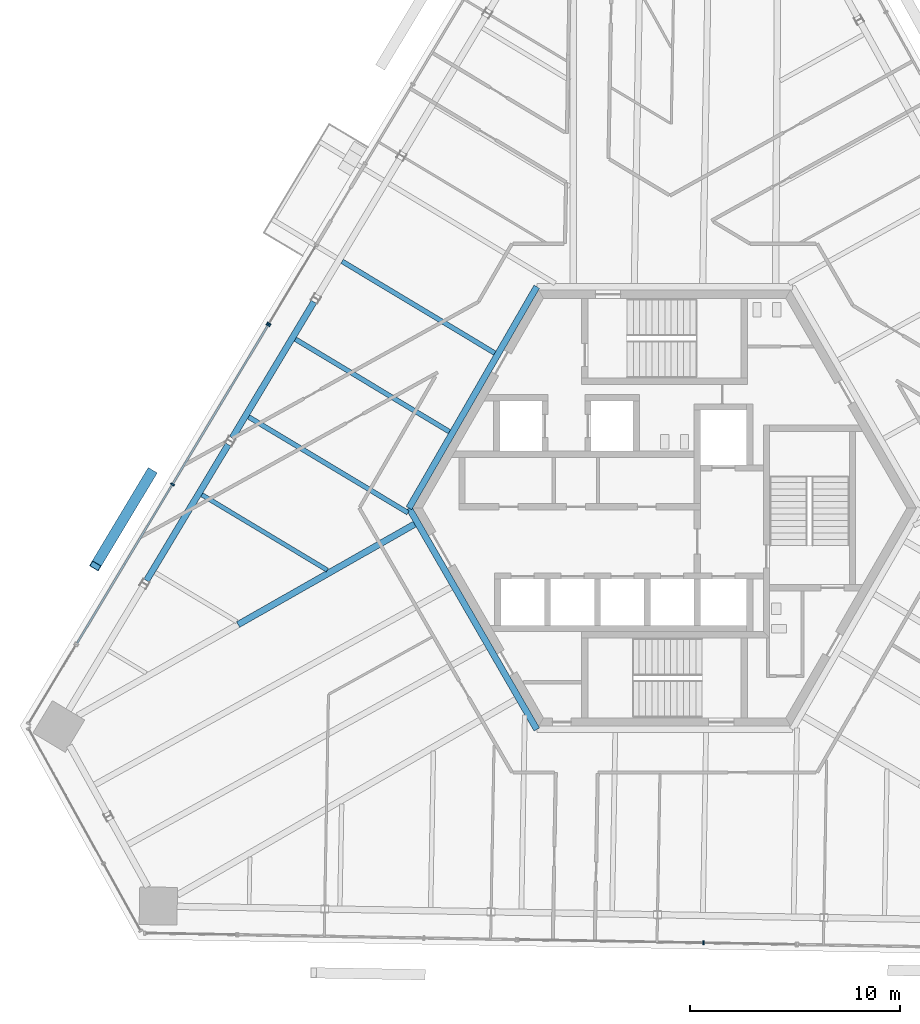
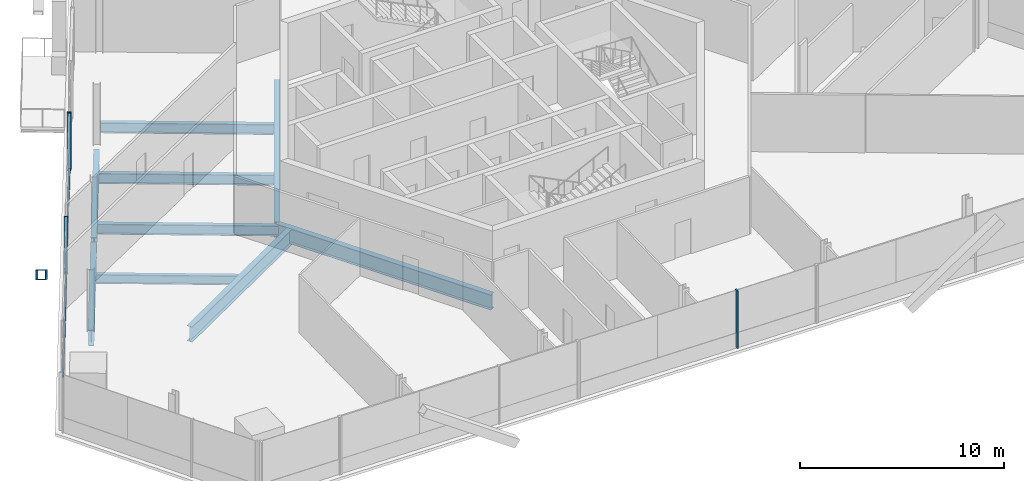
# One storey, part 5 of 19: 9 beams, 7 members, 3 elements without a shape of their own.
"""IFC4 building model written with IfcOpenShell, lengths in metres."""

from ifc_helpers import new_model, si_unit, direction, frame, origin, origin_2d, place, context, subcontext, project, spatial, rectangle, hollow_rectangle, i_section, extrude, source, transform, mapped, material, material_profile, profile_set, type_object, element, aggregate, save


model = new_model("IFC4")

# Units and contexts
model_context = context("Model", 3, precision=1e-05, world=origin(), true_north=direction((0.0, 1.0)))
body_context = subcontext(model_context, "Body", "Model", "MODEL_VIEW")
ifc_project = project(units=[si_unit("LENGTHUNIT", "METRE"), si_unit("AREAUNIT", "SQUARE_METRE"), si_unit("VOLUMEUNIT", "CUBIC_METRE"), si_unit("PLANEANGLEUNIT", "RADIAN"), si_unit("MASSUNIT", "GRAM", prefix="KILO")], contexts=[model_context])

# Site, building, storey
site_placement = place(None, origin())
site = spatial("IfcSite", under=ifc_project, at=site_placement, CompositionType="ELEMENT")
building_placement = place(site_placement, origin())
building = spatial("IfcBuilding", under=site, at=building_placement, Name="Triune Harvest Tower", CompositionType="ELEMENT")
storey_placement = place(building_placement, frame((0.0, 0.0, 205.10009765625)))
storey = spatial("IfcBuildingStorey", under=building, at=storey_placement, Name="L53", CompositionType="ELEMENT", Elevation=205.10009765625)

# Beams
ifc_material_1 = material(Name="Steel ASTM A992 Gr 50", Category="steel")
ifc_material_profile_1 = material_profile(ifc_material_1, i_section(OverallWidth=0.3046875, OverallDepth=0.914306640625, WebThickness=0.0166015625, FlangeThickness=0.02587890625, at=origin_2d()), Name="W36x160")
ifc_profile_set_1 = profile_set([ifc_material_profile_1], Name="Steel ASTM A992 Gr 50")
beam_type_1 = type_object("IfcBeamType", Name="CG-1 Core ring girder W36x160", PredefinedType="BEAM", material=ifc_profile_set_1)
shared_shape_1 = source(origin(), body_context, "Body", "SweptSolid", [
    extrude(i_section(OverallWidth=0.3046875, OverallDepth=0.914306640625, WebThickness=0.0166015625, FlangeThickness=0.02587890625, at=origin_2d()), origin(), (0.0, 0.0, 1.0), 12.176025390625),
])
for number, where, z_axis, x_axis, name in (
    (1, (-6.087890625, 10.544677734375, -0.6171875), (-0.5000099932, -0.866019634131, 0.0), (0.866019634131, -0.5000099932, 0.0), "beam/L53/CG3"),
    (2, (-12.176025390625, 0.0, -0.6171875), (0.5000099932, -0.866019634131, 0.0), (0.866019634131, 0.5000099932, 0.0), "beam/L53/CG4"),
):
    element("IfcBeam", number, at=place(storey_placement, frame(where, z_axis=z_axis, x_axis=x_axis)), inside=storey, type_object=beam_type_1, Name=name, PredefinedType="BEAM", context=body_context, shape_type="MappedRepresentation", body=[
        mapped(shared_shape_1, transform((0.0, 0.0, 0.0), scale=1.0)),
    ])
ifc_material_2 = material(Name="Steel ASTM A992 Gr 50", Category="steel")
ifc_material_profile_2 = material_profile(ifc_material_2, i_section(OverallWidth=0.307373046875, OverallDepth=0.922119140625, WebThickness=0.018310546875, FlangeThickness=0.030029296875, at=origin_2d()), Name="W36x182")
ifc_profile_set_2 = profile_set([ifc_material_profile_2], Name="Steel ASTM A992 Gr 50")
beam_type_2 = type_object("IfcBeamType", Name="HG-2 Hip girder W36x182", PredefinedType="BEAM", material=ifc_profile_set_2)
shared_shape_2 = source(origin(), body_context, "Body", "SweptSolid", [
    extrude(i_section(OverallWidth=0.307373046875, OverallDepth=0.922119140625, WebThickness=0.018310546875, FlangeThickness=0.030029296875, at=origin_2d()), origin(), (0.0, 0.0, 1.0), 9.672119140625),
])
beam_1_placement = place(storey_placement, frame((-20.31591796875, -5.549560546875, -0.62109375), z_axis=(0.869255664029, 0.494362812673, 0.0), x_axis=(-0.494362812673, 0.869255664029, 0.0)))
element("IfcBeam", 3, at=beam_1_placement, inside=storey, type_object=beam_type_2, Name="beam/L53/HG6", PredefinedType="BEAM", context=body_context, shape_type="MappedRepresentation", body=[
    mapped(shared_shape_2, transform((0.0, 0.0, 0.0), scale=1.0)),
])
ifc_material_3 = material(Name="Steel ASTM A992 Gr 50", Category="steel")
ifc_material_profile_3 = material_profile(ifc_material_3, i_section(OverallWidth=0.3046875, OverallDepth=0.914306640625, WebThickness=0.0166015625, FlangeThickness=0.02587890625, at=origin_2d()), Name="W36x160")
ifc_profile_set_3 = profile_set([ifc_material_profile_3], Name="Steel ASTM A992 Gr 50")
beam_type_3 = type_object("IfcBeamType", Name="SB-1 Spandrel beam W36x160", PredefinedType="SPANDREL", material=ifc_profile_set_3)
shared_shape_3 = source(origin(), body_context, "Body", "SweptSolid", [
    extrude(i_section(OverallWidth=0.3046875, OverallDepth=0.914306640625, WebThickness=0.0166015625, FlangeThickness=0.02587890625, at=origin_2d()), origin(), (0.0, 0.0, 1.0), 7.556396484375),
])
for number, where, z_axis, x_axis, name in (
    (4, (-16.702880859375, 9.81982421875, -0.6171875), (-0.515065795781, -0.857150643712, 0.0), (0.857150643712, -0.515065795781, 0.0), "beam/L53/SB12"),
    (5, (-20.785888671875, 3.02490234375, -0.6171875), (-0.51504205773, -0.85716490757, 0.0), (0.85716490757, -0.51504205773, 0.0), "beam/L53/SB13"),
):
    element("IfcBeam", number, at=place(storey_placement, frame(where, z_axis=z_axis, x_axis=x_axis)), inside=storey, type_object=beam_type_3, Name=name, PredefinedType="SPANDREL", context=body_context, shape_type="MappedRepresentation", body=[
        mapped(shared_shape_3, transform((0.0, 0.0, 0.0), scale=1.0)),
    ])
ifc_material_4 = material(Name="Steel ASTM A992 Gr 50", Category="steel")
ifc_material_profile_4 = material_profile(ifc_material_4, i_section(OverallWidth=0.22900390625, OverallDepth=0.612060546875, WebThickness=0.011962890625, FlangeThickness=0.01953125, at=origin_2d()), Name="W24x84")
ifc_profile_set_4 = profile_set([ifc_material_profile_4], Name="Steel ASTM A992 Gr 50")
beam_type_4 = type_object("IfcBeamType", Name="JT-3 Floor joist W24x84", PredefinedType="JOIST", material=ifc_profile_set_4)
shared_shape_4 = source(origin(), body_context, "Body", "SweptSolid", [
    extrude(i_section(OverallWidth=0.22900390625, OverallDepth=0.612060546875, WebThickness=0.011962890625, FlangeThickness=0.01953125, at=origin_2d()), origin(), (0.0, 0.0, 1.0), 8.85888671875),
])
beam_2_placement = place(storey_placement, frame((-19.8173828125, 4.3408203125, -0.46630859375), z_axis=(0.857174209269, -0.515026576948, 0.0), x_axis=(0.515026576948, 0.857174209269, 0.0)))
element("IfcBeam", 6, at=beam_2_placement, inside=storey, type_object=beam_type_4, Name="beam/L53/JT19", PredefinedType="JOIST", context=body_context, shape_type="MappedRepresentation", body=[
    mapped(shared_shape_4, transform((0.0, 0.0, 0.0), scale=1.0)),
])
shared_shape_5 = source(origin(), body_context, "Body", "SweptSolid", [
    extrude(i_section(OverallWidth=0.22900390625, OverallDepth=0.612060546875, WebThickness=0.011962890625, FlangeThickness=0.01953125, at=origin_2d()), origin(), (0.0, 0.0, 1.0), 8.48583984375),
])
beam_3_placement = place(storey_placement, frame((-15.36328125, 11.75341796875, -0.46630859375), z_axis=(0.857160193187, -0.515049903616, 0.0), x_axis=(0.515049903616, 0.857160193187, 0.0)))
element("IfcBeam", 7, at=beam_3_placement, inside=storey, type_object=beam_type_4, Name="beam/L53/JT17", PredefinedType="JOIST", context=body_context, shape_type="MappedRepresentation", body=[
    mapped(shared_shape_5, transform((0.0, 0.0, 0.0), scale=1.0)),
])
shared_shape_6 = source(origin(), body_context, "Body", "SweptSolid", [
    extrude(i_section(OverallWidth=0.22900390625, OverallDepth=0.612060546875, WebThickness=0.011962890625, FlangeThickness=0.01953125, at=origin_2d()), origin(), (0.0, 0.0, 1.0), 8.5615234375),
])
beam_4_placement = place(storey_placement, frame((-17.59033203125, 8.047119140625, -0.46630859375), z_axis=(0.857170691548, -0.515032431553, 0.0), x_axis=(0.515032431553, 0.857170691548, 0.0)))
element("IfcBeam", 8, at=beam_4_placement, inside=storey, type_object=beam_type_4, Name="beam/L53/JT18", PredefinedType="JOIST", context=body_context, shape_type="MappedRepresentation", body=[
    mapped(shared_shape_6, transform((0.0, 0.0, 0.0), scale=1.0)),
])
ifc_material_5 = material(Name="Steel ASTM A992 Gr 50", Category="steel")
ifc_material_profile_5 = material_profile(ifc_material_5, i_section(OverallWidth=0.2099609375, OverallDepth=0.535888671875, WebThickness=0.010986328125, FlangeThickness=0.017333984375, at=origin_2d()), Name="W21x68")
ifc_profile_set_5 = profile_set([ifc_material_profile_5], Name="Steel ASTM A992 Gr 50")
beam_type_5 = type_object("IfcBeamType", Name="JT-2 Floor joist W21x68", PredefinedType="JOIST", material=ifc_profile_set_5)
shared_shape_7 = source(origin(), body_context, "Body", "SweptSolid", [
    extrude(i_section(OverallWidth=0.2099609375, OverallDepth=0.535888671875, WebThickness=0.010986328125, FlangeThickness=0.017333984375, at=origin_2d()), origin(), (0.0, 0.0, 1.0), 6.972900390625),
])
beam_5_placement = place(storey_placement, frame((-22.04443359375, 0.634521484375, -0.427978515625), z_axis=(0.857162181364, -0.515046594823, 0.0), x_axis=(0.515046594823, 0.857162181364, 0.0)))
element("IfcBeam", 9, at=beam_5_placement, inside=storey, type_object=beam_type_5, Name="beam/L53/JT20", PredefinedType="JOIST", context=body_context, shape_type="MappedRepresentation", body=[
    mapped(shared_shape_7, transform((0.0, 0.0, 0.0), scale=1.0)),
])

# Member
ifc_material_6 = material(Name="Steel ASTM A572 Gr 50", Category="steel")
ifc_material_profile_6 = material_profile(ifc_material_6, hollow_rectangle(XDim=0.5, YDim=0.5, WallThickness=0.030029296875, at=origin_2d()), Name="Box 500x500x30")
ifc_profile_set_6 = profile_set([ifc_material_profile_6], Name="Steel ASTM A572 Gr 50")
member_type_1 = type_object("IfcMemberType", Name="BR-3 Brace Box 500x500x30", PredefinedType="BRACE", material=ifc_profile_set_6)
shared_shape_8 = source(origin(), body_context, "Body", "SweptSolid", [
    extrude(hollow_rectangle(XDim=0.5, YDim=0.5, WallThickness=0.030029296875, at=origin_2d()), origin(), (0.0, 0.0, 1.0), 6.302978515625),
])
member_1_placement = place(storey_placement, frame((-24.45458984375, 1.680419921875, 0.0), z_axis=(-0.422750996044, -0.703616624806, 0.571143800317), x_axis=(0.857180490419, -0.515016122898, 0.0)))
element("IfcMember", 10, at=member_1_placement, inside=storey, type_object=member_type_1, Name="brace/B5-F3/d1/8", PredefinedType="BRACE", context=body_context, shape_type="MappedRepresentation", body=[
    mapped(shared_shape_8, transform((0.0, 0.0, 0.0), scale=1.0)),
])

# Curtain wall, member
ifc_material_7 = material(Name="Aluminium bronze anodised", Category="aluminium")
curtain_wall_type_1 = type_object("IfcCurtainWallType", Name="CW-1 Tower stick curtain wall", PredefinedType="NOTDEFINED", material=ifc_material_7)
curtain_wall_1_placement = place(storey_placement, origin())
curtain_wall_1 = element("IfcCurtainWall", 11, at=curtain_wall_1_placement, inside=storey, type_object=curtain_wall_type_1, Name="CW-1 B5-F5 L53 run 2001")
ifc_material_8 = material(Name="Aluminium bronze anodised", Category="aluminium")
ifc_material_profile_7 = material_profile(ifc_material_8, rectangle(XDim=0.199951171875, YDim=0.074951171875, at=origin_2d()), Name="MU-1 mullion 75 x 200")
ifc_profile_set_7 = profile_set([ifc_material_profile_7], Name="Aluminium bronze anodised")
member_type_2 = type_object("IfcMemberType", Name="MU-1 mullion 75 x 200", PredefinedType="MULLION", material=ifc_profile_set_7)
shared_shape_9 = source(origin(), body_context, "Body", "SweptSolid", [
    extrude(rectangle(XDim=0.199951171875, YDim=0.074951171875, at=origin_2d()), origin(), (0.0, 0.0, 1.0), 3.43994140625),
])
member_2_placement = place(storey_placement, frame((1.86083984375, -20.712646484375, 0.0), z_axis=(0.0, 0.0, 1.0), x_axis=(0.017453288654, 0.999847679757, 0.0)))
member_2 = element("IfcMember", 12, at=member_2_placement, type_object=member_type_2, Name="CW-1 mullion B5-F5 2001.3", PredefinedType="MULLION", context=body_context, shape_type="MappedRepresentation", body=[
    mapped(shared_shape_9, transform((0.0, 0.0, 0.0), scale=1.0)),
])
aggregate(curtain_wall_1, [member_2])

ifc_material_9 = material(Name="Aluminium bronze anodised", Category="aluminium")
curtain_wall_type_2 = type_object("IfcCurtainWallType", Name="CW-6 Balcony window wall", PredefinedType="NOTDEFINED", material=ifc_material_9)
curtain_wall_2_placement = place(storey_placement, origin())
curtain_wall_2 = element("IfcCurtainWall", 13, at=curtain_wall_2_placement, inside=storey, type_object=curtain_wall_type_2, Name="CW-6 B5-F3 L53 run 2")
ifc_material_10 = material(Name="Aluminium bronze anodised", Category="aluminium")
ifc_material_profile_8 = material_profile(ifc_material_10, rectangle(XDim=0.199951171875, YDim=0.074951171875, at=origin_2d()), Name="MU-6 mullion 75 x 200")
ifc_profile_set_8 = profile_set([ifc_material_profile_8], Name="Aluminium bronze anodised")
member_type_3 = type_object("IfcMemberType", Name="MU-6 mullion 75 x 200", PredefinedType="MULLION", material=ifc_profile_set_8)
shared_shape_10 = source(origin(), body_context, "Body", "SweptSolid", [
    extrude(rectangle(XDim=0.199951171875, YDim=0.074951171875, at=origin_2d()), origin(), (0.0, 0.0, 1.0), 3.43994140625),
])
member_3_placement = place(storey_placement, frame((-18.845458984375, 8.78271484375, 0.0), z_axis=(0.0, 0.0, 1.0), x_axis=(0.85716219294, -0.515046575559, 0.0)))
member_3 = element("IfcMember", 14, at=member_3_placement, type_object=member_type_3, Name="CW-6 mullion B5-F3 2.2", PredefinedType="MULLION", context=body_context, shape_type="MappedRepresentation", body=[
    mapped(shared_shape_10, transform((0.0, 0.0, 0.0), scale=1.0)),
])
aggregate(curtain_wall_2, [member_3])

# Curtain wall, members
ifc_material_11 = material(Name="Aluminium bronze anodised", Category="aluminium")
curtain_wall_type_3 = type_object("IfcCurtainWallType", Name="CW-10 Balcony window wall with insulated spandrel infill", PredefinedType="NOTDEFINED", material=ifc_material_11)
curtain_wall_3_placement = place(storey_placement, origin())
curtain_wall_3 = element("IfcCurtainWall", 15, at=curtain_wall_3_placement, inside=storey, type_object=curtain_wall_type_3, Name="CW-10 B5-F3 L53 run 1002")
member_4_placement = place(storey_placement, frame((-18.884033203125, 8.718505859375, 0.0), z_axis=(0.0, 0.0, 1.0), x_axis=(0.857169238928, -0.515034849147, 0.0)))
member_4 = element("IfcMember", 16, at=member_4_placement, type_object=member_type_3, Name="CW-10 mullion B5-F3 1002.1", PredefinedType="MULLION", context=body_context, shape_type="MappedRepresentation", body=[
    mapped(shared_shape_10, transform((0.0, 0.0, 0.0), scale=1.0)),
])
member_5_placement = place(storey_placement, frame((-23.444091796875, 1.12939453125, 0.0), z_axis=(0.0, 0.0, 1.0), x_axis=(0.857169238928, -0.515034849147, 0.0)))
member_5 = element("IfcMember", 17, at=member_5_placement, type_object=member_type_3, Name="CW-10 mullion B5-F3 1002.3", PredefinedType="MULLION", context=body_context, shape_type="MappedRepresentation", body=[
    mapped(shared_shape_10, transform((0.0, 0.0, 0.0), scale=1.0)),
])
ifc_material_12 = material(Name="Aluminium bronze anodised", Category="aluminium")
ifc_material_profile_9 = material_profile(ifc_material_12, rectangle(XDim=0.090087890625, YDim=0.14990234375, at=origin_2d()), Name="TR-6 transom 90 x 150")
ifc_profile_set_9 = profile_set([ifc_material_profile_9], Name="Aluminium bronze anodised")
member_type_4 = type_object("IfcMemberType", Name="TR-6 transom 90 x 150", PredefinedType="USERDEFINED", material=ifc_profile_set_9)
shared_shape_11 = source(origin(), body_context, "Body", "SweptSolid", [
    extrude(rectangle(XDim=0.090087890625, YDim=0.14990234375, at=origin_2d()), origin(), (0.0, 0.0, 1.0), 8.77880859375),
])
member_6_placement = place(storey_placement, frame((-18.9033203125, 8.686279296875, 0.074951171875), z_axis=(-0.515043673575, -0.85716393666, 0.0), x_axis=(0.85716393666, -0.515043673575, 0.0)))
member_6 = element("IfcMember", 18, at=member_6_placement, type_object=member_type_4, Name="CW-10 transom B5-F3 1002.1", ObjectType="TRANSOM", PredefinedType="USERDEFINED", context=body_context, shape_type="MappedRepresentation", body=[
    mapped(shared_shape_11, transform((0.0, 0.0, 0.0), scale=1.0)),
])
member_7_placement = place(storey_placement, frame((-23.46337890625, 1.09716796875, 0.074951171875), z_axis=(-0.515023240196, -0.857176214123, 0.0), x_axis=(0.857176214123, -0.515023240196, 0.0)))
member_7 = element("IfcMember", 19, at=member_7_placement, type_object=member_type_4, Name="CW-10 transom B5-F3 1002.2", ObjectType="TRANSOM", PredefinedType="USERDEFINED", context=body_context, shape_type="MappedRepresentation", body=[
    mapped(shared_shape_11, transform((0.0, 0.0, 0.0), scale=1.0)),
])
aggregate(curtain_wall_3, [member_4, member_5, member_6, member_7])

save(model, "model.ifc")
